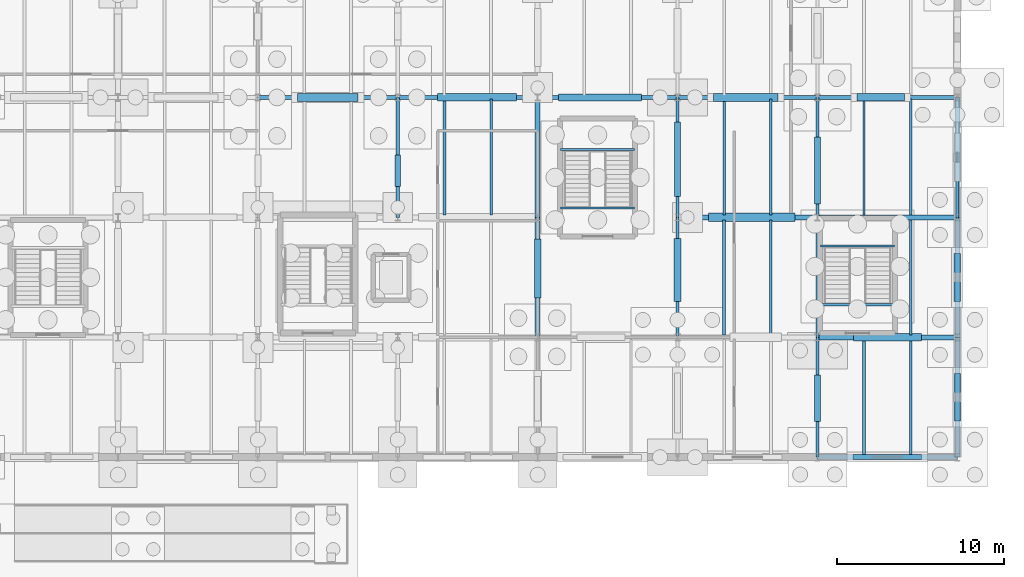
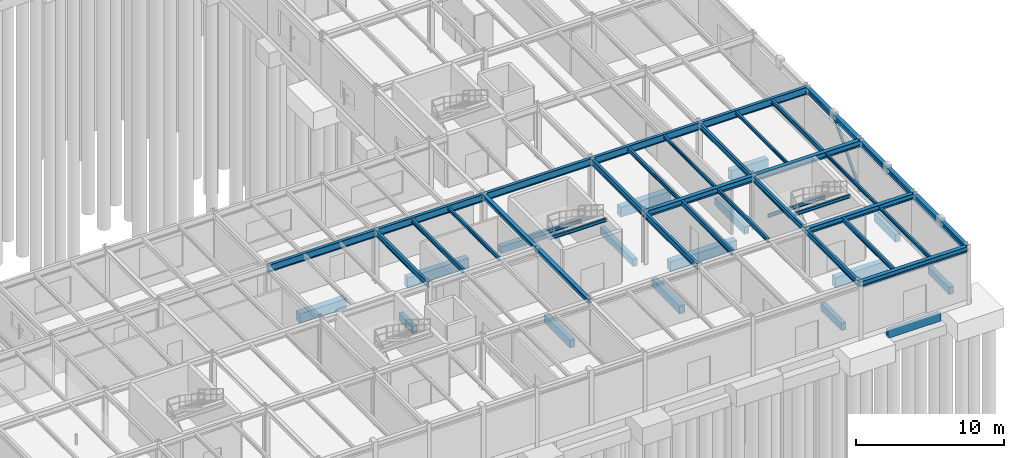
# One storey, part 43 of 93: 51 beams, 1 member.
"""IFC4 building model written with IfcOpenShell, lengths in metres."""

from ifc_helpers import new_model, si_unit, derived_unit, direction, frame, origin, origin_2d, place, context, subcontext, project, spatial, rectangle, hollow_rectangle, i_section, extrude, material, material_profile, profile_set, type_object, element, save


model = new_model("IFC4")

# Units and contexts
model_context = context("Model", 3, precision=1e-05, world=origin(), true_north=direction((0.0, 1.0)))
body_context = subcontext(model_context, "Body", "Model", "MODEL_VIEW")
ifc_project = project(units=[si_unit("LENGTHUNIT", "METRE"), si_unit("AREAUNIT", "SQUARE_METRE"), si_unit("VOLUMEUNIT", "CUBIC_METRE"), si_unit("PLANEANGLEUNIT", "RADIAN"), si_unit("MASSUNIT", "GRAM", prefix="KILO"), derived_unit("THERMALTRANSMITTANCEUNIT", [(si_unit("MASSUNIT", "GRAM", prefix="KILO"), 1), (si_unit("TIMEUNIT", "SECOND"), -3), (si_unit("THERMODYNAMICTEMPERATUREUNIT", "KELVIN"), -1)])], contexts=[model_context])

# Site, building, storey
site_placement = place(None, origin())
site = spatial("IfcSite", under=ifc_project, at=site_placement, CompositionType="ELEMENT")
building_placement = place(site_placement, origin())
building = spatial("IfcBuilding", under=site, at=building_placement, Name="Kharveza Railside Sports Centre", CompositionType="ELEMENT")
storey_placement = place(building_placement, origin())
storey = spatial("IfcBuildingStorey", under=building, at=storey_placement, Name="L00", CompositionType="ELEMENT", Elevation=0.0)

# Beams
ifc_material_1 = material(Name="Steel S355J2", Category="steel")
ifc_material_profile_1 = material_profile(ifc_material_1, i_section(OverallWidth=0.219970703125, OverallDepth=0.60009765625, WebThickness=0.011962890625, FlangeThickness=0.01904296875, FilletRadius=0.02392578125, at=origin_2d()), Name="IPE 600")
ifc_profile_set_1 = profile_set([ifc_material_profile_1], Name="Steel S355J2")
beam_type_1 = type_object("IfcBeamType", Name="BM-G01", PredefinedType="T_BEAM", material=ifc_profile_set_1)
beam_1_placement = place(storey_placement, frame((126.0, 28.800048828125, 4.02001953125), z_axis=(1.0, 0.0, 0.0), x_axis=(0.0, 1.0, 0.0)))
element("IfcBeam", 1, at=beam_1_placement, inside=storey, type_object=beam_type_1, Name="BM-EW-L00-B01-X1260-Y288", PredefinedType="T_BEAM", context=body_context, shape_type="SweptSolid", body=[
    extrude(i_section(OverallWidth=0.219970703125, OverallDepth=0.60009765625, WebThickness=0.011962890625, FlangeThickness=0.01904296875, FilletRadius=0.02392578125, at=origin_2d()), origin(), (0.0, 0.0, 1.0), 8.39990234375),
])
beam_2_placement = place(storey_placement, frame((134.39990234375, 28.800048828125, 4.02001953125), z_axis=(1.0, 0.0, 0.0), x_axis=(0.0, 1.0, 0.0)))
element("IfcBeam", 2, at=beam_2_placement, inside=storey, type_object=beam_type_1, Name="BM-EW-L00-B01-X1344-Y288", PredefinedType="T_BEAM", context=body_context, shape_type="SweptSolid", body=[
    extrude(i_section(OverallWidth=0.219970703125, OverallDepth=0.60009765625, WebThickness=0.011962890625, FlangeThickness=0.01904296875, FilletRadius=0.02392578125, at=origin_2d()), origin(), (0.0, 0.0, 1.0), 8.400146484375),
])
beam_3_placement = place(storey_placement, frame((142.800048828125, 28.800048828125, 4.02001953125), z_axis=(1.0, 0.0, 0.0), x_axis=(0.0, 1.0, 0.0)))
element("IfcBeam", 3, at=beam_3_placement, inside=storey, type_object=beam_type_1, Name="BM-EW-L00-B01-X1428-Y288", PredefinedType="T_BEAM", context=body_context, shape_type="SweptSolid", body=[
    extrude(i_section(OverallWidth=0.219970703125, OverallDepth=0.60009765625, WebThickness=0.011962890625, FlangeThickness=0.01904296875, FilletRadius=0.02392578125, at=origin_2d()), origin(), (0.0, 0.0, 1.0), 8.39990234375),
])
beam_4_placement = place(storey_placement, frame((151.199951171875, 28.800048828125, 4.02001953125), z_axis=(1.0, 0.0, 0.0), x_axis=(0.0, 1.0, 0.0)))
element("IfcBeam", 4, at=beam_4_placement, inside=storey, type_object=beam_type_1, Name="BM-EW-L00-B01-X1512-Y288", PredefinedType="T_BEAM", context=body_context, shape_type="SweptSolid", body=[
    extrude(i_section(OverallWidth=0.219970703125, OverallDepth=0.60009765625, WebThickness=0.011962890625, FlangeThickness=0.01904296875, FilletRadius=0.02392578125, at=origin_2d()), origin(), (0.0, 0.0, 1.0), 8.400146484375),
])
beam_5_placement = place(storey_placement, frame((159.60009765625, 28.800048828125, 4.02001953125), z_axis=(1.0, 0.0, 0.0), x_axis=(0.0, 1.0, 0.0)))
element("IfcBeam", 5, at=beam_5_placement, inside=storey, type_object=beam_type_1, Name="BM-EW-L00-B01-X1596-Y288", PredefinedType="T_BEAM", context=body_context, shape_type="SweptSolid", body=[
    extrude(i_section(OverallWidth=0.219970703125, OverallDepth=0.60009765625, WebThickness=0.011962890625, FlangeThickness=0.01904296875, FilletRadius=0.02392578125, at=origin_2d()), origin(), (0.0, 0.0, 1.0), 8.39990234375),
])
ifc_material_profile_2 = material_profile(ifc_material_1, i_section(OverallWidth=0.199951171875, OverallDepth=0.5, WebThickness=0.01025390625, FlangeThickness=0.01611328125, FilletRadius=0.02099609375, at=origin_2d()), Name="IPE 500")
ifc_profile_set_2 = profile_set([ifc_material_profile_2], Name="Steel S355J2")
beam_type_2 = type_object("IfcBeamType", Name="BM-G03", PredefinedType="T_BEAM", material=ifc_profile_set_2)
beam_6_placement = place(storey_placement, frame((151.199951171875, 14.39990234375, 4.070068359375), z_axis=(0.0, 1.0, 0.0), x_axis=(-1.0, 0.0, 0.0)))
element("IfcBeam", 6, at=beam_6_placement, inside=storey, type_object=beam_type_2, Name="BM-NS-L00-B03-X1512-Y144", PredefinedType="T_BEAM", context=body_context, shape_type="SweptSolid", body=[
    extrude(i_section(OverallWidth=0.199951171875, OverallDepth=0.5, WebThickness=0.01025390625, FlangeThickness=0.01611328125, FilletRadius=0.02099609375, at=origin_2d()), origin(), (0.0, 0.0, 1.0), 7.2001953125),
])
beam_7_placement = place(storey_placement, frame((151.199951171875, 21.60009765625, 4.070068359375), z_axis=(0.0, 1.0, 0.0), x_axis=(-1.0, 0.0, 0.0)))
element("IfcBeam", 7, at=beam_7_placement, inside=storey, type_object=beam_type_2, Name="BM-NS-L00-B03-X1512-Y216", PredefinedType="T_BEAM", context=body_context, shape_type="SweptSolid", body=[
    extrude(i_section(OverallWidth=0.199951171875, OverallDepth=0.5, WebThickness=0.01025390625, FlangeThickness=0.01611328125, FilletRadius=0.02099609375, at=origin_2d()), origin(), (0.0, 0.0, 1.0), 7.199951171875),
])
ifc_material_profile_3 = material_profile(ifc_material_1, i_section(OverallWidth=0.18994140625, OverallDepth=0.449951171875, WebThickness=0.009521484375, FlangeThickness=0.0146484375, FilletRadius=0.02099609375, at=origin_2d()), Name="IPE 450")
ifc_profile_set_3 = profile_set([ifc_material_profile_3], Name="Steel S355J2")
beam_type_3 = type_object("IfcBeamType", Name="BM-G04", PredefinedType="T_BEAM", material=ifc_profile_set_3)
for number, where, z_axis, x_axis, name in (
    (8, (134.39990234375, 21.60009765625, 4.094970703125), (0.0, 1.0, 0.0), (-1.0, 0.0, 0.0), "BM-NS-L00-B04-X1344-Y216"),
    (9, (159.60009765625, 7.199951171875, 4.094970703125), (0.0, 1.0, 0.0), (-1.0, 0.0, 0.0), "BM-NS-L00-B04-X1596-Y72"),
):
    element("IfcBeam", number, at=place(storey_placement, frame(where, z_axis=z_axis, x_axis=x_axis)), inside=storey, type_object=beam_type_3, Name=name, PredefinedType="T_BEAM", context=body_context, shape_type="SweptSolid", body=[
        extrude(i_section(OverallWidth=0.18994140625, OverallDepth=0.449951171875, WebThickness=0.009521484375, FlangeThickness=0.0146484375, FilletRadius=0.02099609375, at=origin_2d()), origin(), (0.0, 0.0, 1.0), 7.199951171875),
    ])
beam_8_placement = place(storey_placement, frame((159.60009765625, 14.39990234375, 4.094970703125), z_axis=(0.0, 1.0, 0.0), x_axis=(-1.0, 0.0, 0.0)))
element("IfcBeam", 10, at=beam_8_placement, inside=storey, type_object=beam_type_3, Name="BM-NS-L00-B04-X1596-Y144", PredefinedType="T_BEAM", context=body_context, shape_type="SweptSolid", body=[
    extrude(i_section(OverallWidth=0.18994140625, OverallDepth=0.449951171875, WebThickness=0.009521484375, FlangeThickness=0.0146484375, FilletRadius=0.02099609375, at=origin_2d()), origin(), (0.0, 0.0, 1.0), 7.2001953125),
])
beam_9_placement = place(storey_placement, frame((159.60009765625, 21.60009765625, 4.094970703125), z_axis=(0.0, 1.0, 0.0), x_axis=(-1.0, 0.0, 0.0)))
element("IfcBeam", 11, at=beam_9_placement, inside=storey, type_object=beam_type_3, Name="BM-NS-L00-B04-X1596-Y216", PredefinedType="T_BEAM", context=body_context, shape_type="SweptSolid", body=[
    extrude(i_section(OverallWidth=0.18994140625, OverallDepth=0.449951171875, WebThickness=0.009521484375, FlangeThickness=0.0146484375, FilletRadius=0.02099609375, at=origin_2d()), origin(), (0.0, 0.0, 1.0), 7.199951171875),
])
ifc_material_profile_4 = material_profile(ifc_material_1, i_section(OverallWidth=0.300048828125, OverallDepth=0.5, WebThickness=0.014404296875, FlangeThickness=0.028076171875, FilletRadius=0.027099609375, at=origin_2d()), Name="HEB 500")
ifc_profile_set_4 = profile_set([ifc_material_profile_4], Name="Steel S355J2")
beam_type_4 = type_object("IfcBeamType", Name="BM-G05", PredefinedType="T_BEAM", material=ifc_profile_set_4)
beam_10_placement = place(storey_placement, frame((151.199951171875, 21.60009765625, 4.070068359375), z_axis=(1.0, 0.0, 0.0), x_axis=(0.0, 1.0, 0.0)))
element("IfcBeam", 12, at=beam_10_placement, inside=storey, type_object=beam_type_4, Name="BM-EW-L00-B05-X1512-Y216", PredefinedType="T_BEAM", context=body_context, shape_type="SweptSolid", body=[
    extrude(i_section(OverallWidth=0.300048828125, OverallDepth=0.5, WebThickness=0.014404296875, FlangeThickness=0.028076171875, FilletRadius=0.027099609375, at=origin_2d()), origin(), (0.0, 0.0, 1.0), 8.400146484375),
])
beam_11_placement = place(storey_placement, frame((159.60009765625, 21.60009765625, 4.070068359375), z_axis=(1.0, 0.0, 0.0), x_axis=(0.0, 1.0, 0.0)))
element("IfcBeam", 13, at=beam_11_placement, inside=storey, type_object=beam_type_4, Name="BM-EW-L00-B05-X1596-Y216", PredefinedType="T_BEAM", context=body_context, shape_type="SweptSolid", body=[
    extrude(i_section(OverallWidth=0.300048828125, OverallDepth=0.5, WebThickness=0.014404296875, FlangeThickness=0.028076171875, FilletRadius=0.027099609375, at=origin_2d()), origin(), (0.0, 0.0, 1.0), 8.39990234375),
])
ifc_material_profile_5 = material_profile(ifc_material_1, i_section(OverallWidth=0.300048828125, OverallDepth=0.449951171875, WebThickness=0.013916015625, FlangeThickness=0.02587890625, FilletRadius=0.027099609375, at=origin_2d()), Name="HEB 450")
ifc_profile_set_5 = profile_set([ifc_material_profile_5], Name="Steel S355J2")
beam_type_5 = type_object("IfcBeamType", Name="BM-G06", PredefinedType="T_BEAM", material=ifc_profile_set_5)
beam_12_placement = place(storey_placement, frame((159.60009765625, 14.39990234375, 4.094970703125), z_axis=(1.0, 0.0, 0.0), x_axis=(0.0, 1.0, 0.0)))
element("IfcBeam", 14, at=beam_12_placement, inside=storey, type_object=beam_type_5, Name="BM-EW-L00-B06-X1596-Y144", PredefinedType="T_BEAM", context=body_context, shape_type="SweptSolid", body=[
    extrude(i_section(OverallWidth=0.300048828125, OverallDepth=0.449951171875, WebThickness=0.013916015625, FlangeThickness=0.02587890625, FilletRadius=0.027099609375, at=origin_2d()), origin(), (0.0, 0.0, 1.0), 8.39990234375),
])
ifc_material_2 = material(Name="Concrete C35/45", Category="concrete")
ifc_material_profile_6 = material_profile(ifc_material_2, rectangle(XDim=0.5, YDim=0.800048828125, at=origin_2d()), Name="RCB 500x800")
ifc_profile_set_6 = profile_set([ifc_material_profile_6], Name="Concrete C35/45")
beam_type_6 = type_object("IfcBeamType", Name="BM-RC01", PredefinedType="T_BEAM", material=ifc_profile_set_6)
beam_13_placement = place(storey_placement, frame((128.385009765625, 28.800048828125, -0.820068359375), z_axis=(1.0, 0.0, 0.0), x_axis=(0.0, 1.0, 0.0)))
element("IfcBeam", 15, at=beam_13_placement, inside=storey, type_object=beam_type_6, Name="BM-PLINTH-EW-B25-X1260-Y288-1", PredefinedType="T_BEAM", context=body_context, shape_type="SweptSolid", body=[
    extrude(rectangle(XDim=0.5, YDim=0.800048828125, at=origin_2d()), origin(), (0.0, 0.0, 1.0), 3.6298828125),
])
beam_14_placement = place(storey_placement, frame((153.06005859375, 21.60009765625, -0.820068359375), z_axis=(1.0, 0.0, 0.0), x_axis=(0.0, 1.0, 0.0)))
element("IfcBeam", 16, at=beam_14_placement, inside=storey, type_object=beam_type_6, Name="BM-PLINTH-EW-B25-X1512-Y216-1", PredefinedType="T_BEAM", context=body_context, shape_type="SweptSolid", body=[
    extrude(rectangle(XDim=0.5, YDim=0.800048828125, at=origin_2d()), origin(), (0.0, 0.0, 1.0), 5.179931640625),
])
beam_15_placement = place(storey_placement, frame((153.360107421875, 28.800048828125, -0.820068359375), z_axis=(1.0, 0.0, 0.0), x_axis=(0.0, 1.0, 0.0)))
element("IfcBeam", 17, at=beam_15_placement, inside=storey, type_object=beam_type_6, Name="BM-PLINTH-EW-B25-X1512-Y288-1", PredefinedType="T_BEAM", context=body_context, shape_type="SweptSolid", body=[
    extrude(rectangle(XDim=0.5, YDim=0.800048828125, at=origin_2d()), origin(), (0.0, 0.0, 1.0), 3.8798828125),
])
ifc_material_profile_7 = material_profile(ifc_material_2, rectangle(XDim=0.39990234375, YDim=0.64990234375, at=origin_2d()), Name="RCB 400x650")
ifc_profile_set_7 = profile_set([ifc_material_profile_7], Name="Concrete C35/45")
beam_type_7 = type_object("IfcBeamType", Name="BM-RC02", PredefinedType="BEAM", material=ifc_profile_set_7)
beam_16_placement = place(storey_placement, frame((142.800048828125, 16.760009765625, -0.7451171875), z_axis=(0.0, 1.0, 0.0), x_axis=(-1.0, 0.0, 0.0)))
element("IfcBeam", 18, at=beam_16_placement, inside=storey, type_object=beam_type_7, Name="BM-PLINTH-NS-B26-X1428-Y144-1", PredefinedType="BEAM", context=body_context, shape_type="SweptSolid", body=[
    extrude(rectangle(XDim=0.39990234375, YDim=0.64990234375, at=origin_2d()), origin(), (0.0, 0.0, 1.0), 3.540771484375),
])
beam_17_placement = place(storey_placement, frame((151.199951171875, 16.534912109375, -0.7451171875), z_axis=(0.0, 1.0, 0.0), x_axis=(-1.0, 0.0, 0.0)))
element("IfcBeam", 19, at=beam_17_placement, inside=storey, type_object=beam_type_7, Name="BM-PLINTH-NS-B26-X1512-Y144-1", PredefinedType="BEAM", context=body_context, shape_type="SweptSolid", body=[
    extrude(rectangle(XDim=0.39990234375, YDim=0.64990234375, at=origin_2d()), origin(), (0.0, 0.0, 1.0), 3.80517578125),
])
beam_18_placement = place(storey_placement, frame((168.0, 16.56005859375, -0.7451171875), z_axis=(0.0, 1.0, 0.0), x_axis=(-1.0, 0.0, 0.0)))
element("IfcBeam", 20, at=beam_18_placement, inside=storey, type_object=beam_type_7, Name="BM-PLINTH-NS-B26-X1680-Y144-1", PredefinedType="BEAM", context=body_context, shape_type="SweptSolid", body=[
    extrude(rectangle(XDim=0.39990234375, YDim=0.64990234375, at=origin_2d()), origin(), (0.0, 0.0, 1.0), 2.8798828125),
])
ifc_material_profile_8 = material_profile(ifc_material_2, rectangle(XDim=0.449951171875, YDim=0.85009765625, at=origin_2d()), Name="RCB 450x850")
ifc_profile_set_8 = profile_set([ifc_material_profile_8], Name="Concrete C35/45")
beam_type_8 = type_object("IfcBeamType", Name="BM-RC05", PredefinedType="T_BEAM", material=ifc_profile_set_8)
beam_19_placement = place(storey_placement, frame((136.784912109375, 28.800048828125, -0.844970703125), z_axis=(1.0, 0.0, 0.0), x_axis=(0.0, 1.0, 0.0)))
element("IfcBeam", 21, at=beam_19_placement, inside=storey, type_object=beam_type_8, Name="BM-PLINTH-EW-B29-X1344-Y288-1", PredefinedType="T_BEAM", context=body_context, shape_type="SweptSolid", body=[
    extrude(rectangle(XDim=0.449951171875, YDim=0.85009765625, at=origin_2d()), origin(), (0.0, 0.0, 1.0), 4.755126953125),
])
beam_20_placement = place(storey_placement, frame((161.760009765625, 14.39990234375, -0.844970703125), z_axis=(1.0, 0.0, 0.0), x_axis=(0.0, 1.0, 0.0)))
element("IfcBeam", 22, at=beam_20_placement, inside=storey, type_object=beam_type_8, Name="BM-PLINTH-EW-B29-X1596-Y144-1", PredefinedType="T_BEAM", context=body_context, shape_type="SweptSolid", body=[
    extrude(rectangle(XDim=0.449951171875, YDim=0.85009765625, at=origin_2d()), origin(), (0.0, 0.0, 1.0), 4.080078125),
])
beam_21_placement = place(storey_placement, frame((161.9599609375, 28.800048828125, -0.844970703125), z_axis=(1.0, 0.0, 0.0), x_axis=(0.0, 1.0, 0.0)))
element("IfcBeam", 23, at=beam_21_placement, inside=storey, type_object=beam_type_8, Name="BM-PLINTH-EW-B29-X1596-Y288-1", PredefinedType="T_BEAM", context=body_context, shape_type="SweptSolid", body=[
    extrude(rectangle(XDim=0.449951171875, YDim=0.85009765625, at=origin_2d()), origin(), (0.0, 0.0, 1.0), 2.880126953125),
])
ifc_material_profile_9 = material_profile(ifc_material_2, rectangle(XDim=0.35009765625, YDim=0.60009765625, at=origin_2d()), Name="RCB 350x600")
ifc_profile_set_9 = profile_set([ifc_material_profile_9], Name="Concrete C35/45")
beam_type_9 = type_object("IfcBeamType", Name="BM-RC06", PredefinedType="BEAM", material=ifc_profile_set_9)
beam_22_placement = place(storey_placement, frame((134.39990234375, 23.4599609375, -0.719970703125), z_axis=(0.0, 1.0, 0.0), x_axis=(-1.0, 0.0, 0.0)))
element("IfcBeam", 24, at=beam_22_placement, inside=storey, type_object=beam_type_9, Name="BM-PLINTH-NS-B30-X1344-Y216-1", PredefinedType="BEAM", context=body_context, shape_type="SweptSolid", body=[
    extrude(rectangle(XDim=0.35009765625, YDim=0.60009765625, at=origin_2d()), origin(), (0.0, 0.0, 1.0), 1.880126953125),
])
beam_23_placement = place(storey_placement, frame((151.199951171875, 22.860107421875, -0.719970703125), z_axis=(0.0, 1.0, 0.0), x_axis=(-1.0, 0.0, 0.0)))
element("IfcBeam", 25, at=beam_23_placement, inside=storey, type_object=beam_type_9, Name="BM-PLINTH-NS-B30-X1512-Y216-1", PredefinedType="BEAM", context=body_context, shape_type="SweptSolid", body=[
    extrude(rectangle(XDim=0.35009765625, YDim=0.60009765625, at=origin_2d()), origin(), (0.0, 0.0, 1.0), 4.47998046875),
])
beam_24_placement = place(storey_placement, frame((159.60009765625, 9.3349609375, -0.719970703125), z_axis=(0.0, 1.0, 0.0), x_axis=(-1.0, 0.0, 0.0)))
element("IfcBeam", 26, at=beam_24_placement, inside=storey, type_object=beam_type_9, Name="BM-PLINTH-NS-B30-X1596-Y72-1", PredefinedType="BEAM", context=body_context, shape_type="SweptSolid", body=[
    extrude(rectangle(XDim=0.35009765625, YDim=0.60009765625, at=origin_2d()), origin(), (0.0, 0.0, 1.0), 2.804931640625),
])
beam_25_placement = place(storey_placement, frame((159.60009765625, 22.409912109375, -0.719970703125), z_axis=(0.0, 1.0, 0.0), x_axis=(-1.0, 0.0, 0.0)))
element("IfcBeam", 27, at=beam_25_placement, inside=storey, type_object=beam_type_9, Name="BM-PLINTH-NS-B30-X1596-Y216-1", PredefinedType="BEAM", context=body_context, shape_type="SweptSolid", body=[
    extrude(rectangle(XDim=0.35009765625, YDim=0.60009765625, at=origin_2d()), origin(), (0.0, 0.0, 1.0), 4.030029296875),
])
beam_26_placement = place(storey_placement, frame((168.0, 9.360107421875, -0.719970703125), z_axis=(0.0, 1.0, 0.0), x_axis=(-1.0, 0.0, 0.0)))
element("IfcBeam", 28, at=beam_26_placement, inside=storey, type_object=beam_type_9, Name="BM-PLINTH-NS-B30-X1680-Y72-1", PredefinedType="BEAM", context=body_context, shape_type="SweptSolid", body=[
    extrude(rectangle(XDim=0.35009765625, YDim=0.60009765625, at=origin_2d()), origin(), (0.0, 0.0, 1.0), 2.8798828125),
])
ifc_material_profile_10 = material_profile(ifc_material_2, rectangle(XDim=0.39990234375, YDim=0.550048828125, at=origin_2d()), Name="RCB 400x550")
ifc_profile_set_10 = profile_set([ifc_material_profile_10], Name="Concrete C35/45")
beam_type_10 = type_object("IfcBeamType", Name="BM-RC07", PredefinedType="LINTEL", material=ifc_profile_set_10)
beam_27_placement = place(storey_placement, frame((144.06005859375, 28.800048828125, -0.695068359375), z_axis=(1.0, 0.0, 0.0), x_axis=(0.0, 1.0, 0.0)))
element("IfcBeam", 29, at=beam_27_placement, inside=storey, type_object=beam_type_10, Name="BM-PLINTH-EW-B31-X1428-Y288-1", PredefinedType="LINTEL", context=body_context, shape_type="SweptSolid", body=[
    extrude(rectangle(XDim=0.39990234375, YDim=0.550048828125, at=origin_2d()), origin(), (0.0, 0.0, 1.0), 4.97998046875),
])
ifc_material_3 = material(Name="Precast concrete C40/50", Category="concrete")
ifc_material_profile_11 = material_profile(ifc_material_3, rectangle(XDim=0.300048828125, YDim=0.64990234375, at=origin_2d()), Name="RCB 300x650")
ifc_profile_set_11 = profile_set([ifc_material_profile_11], Name="Precast concrete C40/50")
beam_type_11 = type_object("IfcBeamType", Name="BM-RC08", PredefinedType="SPANDREL", material=ifc_profile_set_11)
beam_28_placement = place(storey_placement, frame((161.735107421875, 7.199951171875, -0.7451171875), z_axis=(1.0, 0.0, 0.0), x_axis=(0.0, 1.0, 0.0)))
element("IfcBeam", 30, at=beam_28_placement, inside=storey, type_object=beam_type_11, Name="BM-PLINTH-EW-B32-X1596-Y72-1", PredefinedType="SPANDREL", context=body_context, shape_type="SweptSolid", body=[
    extrude(rectangle(XDim=0.300048828125, YDim=0.64990234375, at=origin_2d()), origin(), (0.0, 0.0, 1.0), 4.10498046875),
])
ifc_material_profile_12 = material_profile(ifc_material_1, i_section(OverallWidth=0.179931640625, OverallDepth=0.39990234375, WebThickness=0.008544921875, FlangeThickness=0.013427734375, FilletRadius=0.02099609375, at=origin_2d()), Name="IPE 400")
ifc_profile_set_12 = profile_set([ifc_material_profile_12], Name="Steel S355J2")
beam_type_12 = type_object("IfcBeamType", Name="BM-S01", PredefinedType="BEAM", material=ifc_profile_set_12)
beam_29_placement = place(storey_placement, frame((154.0, 14.547119140625, 4.1201171875), z_axis=(0.0, 1.0, 0.0), x_axis=(-1.0, 0.0, 0.0)))
element("IfcBeam", 31, at=beam_29_placement, inside=storey, type_object=beam_type_12, Name="BM-SEC-L00-B09-X1540-Y144", PredefinedType="BEAM", context=body_context, shape_type="SweptSolid", body=[
    extrude(i_section(OverallWidth=0.179931640625, OverallDepth=0.39990234375, WebThickness=0.008544921875, FlangeThickness=0.013427734375, FilletRadius=0.02099609375, at=origin_2d()), origin(), (0.0, 0.0, 1.0), 6.90576171875),
])
ifc_material_profile_13 = material_profile(ifc_material_1, i_section(OverallWidth=0.169921875, OverallDepth=0.360107421875, WebThickness=0.008056640625, FlangeThickness=0.0126953125, FilletRadius=0.01806640625, at=origin_2d()), Name="IPE 360")
ifc_profile_set_13 = profile_set([ifc_material_profile_13], Name="Steel S355J2")
beam_type_13 = type_object("IfcBeamType", Name="BM-S02", PredefinedType="BEAM", material=ifc_profile_set_13)
beam_30_placement = place(storey_placement, frame((137.199951171875, 21.7470703125, 4.139892578125), z_axis=(0.0, 1.0, 0.0), x_axis=(-1.0, 0.0, 0.0)))
element("IfcBeam", 32, at=beam_30_placement, inside=storey, type_object=beam_type_13, Name="BM-SEC-L00-B10-X1372-Y216", PredefinedType="BEAM", context=body_context, shape_type="SweptSolid", body=[
    extrude(i_section(OverallWidth=0.169921875, OverallDepth=0.360107421875, WebThickness=0.008056640625, FlangeThickness=0.0126953125, FilletRadius=0.01806640625, at=origin_2d()), origin(), (0.0, 0.0, 1.0), 6.946044921875),
])
beam_31_placement = place(storey_placement, frame((162.39990234375, 7.346923828125, 4.139892578125), z_axis=(0.0, 1.0, 0.0), x_axis=(-1.0, 0.0, 0.0)))
element("IfcBeam", 33, at=beam_31_placement, inside=storey, type_object=beam_type_13, Name="BM-SEC-L00-B10-X1624-Y72", PredefinedType="BEAM", context=body_context, shape_type="SweptSolid", body=[
    extrude(i_section(OverallWidth=0.169921875, OverallDepth=0.360107421875, WebThickness=0.008056640625, FlangeThickness=0.0126953125, FilletRadius=0.01806640625, at=origin_2d()), origin(), (0.0, 0.0, 1.0), 6.906005859375),
])
beam_32_placement = place(storey_placement, frame((165.199951171875, 21.7470703125, 4.139892578125), z_axis=(0.0, 1.0, 0.0), x_axis=(-1.0, 0.0, 0.0)))
element("IfcBeam", 34, at=beam_32_placement, inside=storey, type_object=beam_type_13, Name="BM-SEC-L00-B10-X1652-Y216", PredefinedType="BEAM", context=body_context, shape_type="SweptSolid", body=[
    extrude(i_section(OverallWidth=0.169921875, OverallDepth=0.360107421875, WebThickness=0.008056640625, FlangeThickness=0.0126953125, FilletRadius=0.01806640625, at=origin_2d()), origin(), (0.0, 0.0, 1.0), 6.946044921875),
])
ifc_material_profile_14 = material_profile(ifc_material_1, i_section(OverallWidth=0.159912109375, OverallDepth=0.330078125, WebThickness=0.007568359375, FlangeThickness=0.011474609375, FilletRadius=0.01806640625, at=origin_2d()), Name="IPE 330")
ifc_profile_set_14 = profile_set([ifc_material_profile_14], Name="Steel S355J2")
beam_type_14 = type_object("IfcBeamType", Name="BM-S03", PredefinedType="BEAM", material=ifc_profile_set_14)
beam_33_placement = place(storey_placement, frame((156.800048828125, 14.547119140625, 4.155029296875), z_axis=(0.0, 1.0, 0.0), x_axis=(-1.0, 0.0, 0.0)))
element("IfcBeam", 35, at=beam_33_placement, inside=storey, type_object=beam_type_14, Name="BM-SEC-L00-B11-X1568-Y144", PredefinedType="BEAM", context=body_context, shape_type="SweptSolid", body=[
    extrude(i_section(OverallWidth=0.159912109375, OverallDepth=0.330078125, WebThickness=0.007568359375, FlangeThickness=0.011474609375, FilletRadius=0.01806640625, at=origin_2d()), origin(), (0.0, 0.0, 1.0), 6.90576171875),
])
beam_34_placement = place(storey_placement, frame((154.0, 21.7470703125, 4.155029296875), z_axis=(0.0, 1.0, 0.0), x_axis=(-1.0, 0.0, 0.0)))
element("IfcBeam", 36, at=beam_34_placement, inside=storey, type_object=beam_type_14, Name="BM-SEC-L00-B11-X1540-Y216", PredefinedType="BEAM", context=body_context, shape_type="SweptSolid", body=[
    extrude(i_section(OverallWidth=0.159912109375, OverallDepth=0.330078125, WebThickness=0.007568359375, FlangeThickness=0.011474609375, FilletRadius=0.01806640625, at=origin_2d()), origin(), (0.0, 0.0, 1.0), 6.946044921875),
])
ifc_material_profile_15 = material_profile(ifc_material_1, i_section(OverallWidth=0.14990234375, OverallDepth=0.300048828125, WebThickness=0.007080078125, FlangeThickness=0.0107421875, FilletRadius=0.014892578125, at=origin_2d()), Name="IPE 300")
ifc_profile_set_15 = profile_set([ifc_material_profile_15], Name="Steel S355J2")
beam_type_15 = type_object("IfcBeamType", Name="BM-S04", PredefinedType="BEAM", material=ifc_profile_set_15)
beam_35_placement = place(storey_placement, frame((140.0, 21.7470703125, 4.169921875), z_axis=(0.0, 1.0, 0.0), x_axis=(-1.0, 0.0, 0.0)))
element("IfcBeam", 37, at=beam_35_placement, inside=storey, type_object=beam_type_15, Name="BM-SEC-L00-B12-X1400-Y216", PredefinedType="BEAM", context=body_context, shape_type="SweptSolid", body=[
    extrude(i_section(OverallWidth=0.14990234375, OverallDepth=0.300048828125, WebThickness=0.007080078125, FlangeThickness=0.0107421875, FilletRadius=0.014892578125, at=origin_2d()), origin(), (0.0, 0.0, 1.0), 6.946044921875),
])
beam_36_placement = place(storey_placement, frame((165.199951171875, 7.346923828125, 4.169921875), z_axis=(0.0, 1.0, 0.0), x_axis=(-1.0, 0.0, 0.0)))
element("IfcBeam", 38, at=beam_36_placement, inside=storey, type_object=beam_type_15, Name="BM-SEC-L00-B12-X1652-Y72", PredefinedType="BEAM", context=body_context, shape_type="SweptSolid", body=[
    extrude(i_section(OverallWidth=0.14990234375, OverallDepth=0.300048828125, WebThickness=0.007080078125, FlangeThickness=0.0107421875, FilletRadius=0.014892578125, at=origin_2d()), origin(), (0.0, 0.0, 1.0), 6.906005859375),
])
ifc_material_profile_16 = material_profile(ifc_material_1, i_section(OverallWidth=0.135009765625, OverallDepth=0.27001953125, WebThickness=0.006591796875, FlangeThickness=0.01025390625, FilletRadius=0.014892578125, at=origin_2d()), Name="IPE 270")
ifc_profile_set_16 = profile_set([ifc_material_profile_16], Name="Steel S355J2")
beam_type_16 = type_object("IfcBeamType", Name="BM-S05", PredefinedType="BEAM", material=ifc_profile_set_16)
beam_37_placement = place(storey_placement, frame((156.800048828125, 21.7470703125, 4.18505859375), z_axis=(0.0, 1.0, 0.0), x_axis=(-1.0, 0.0, 0.0)))
element("IfcBeam", 39, at=beam_37_placement, inside=storey, type_object=beam_type_16, Name="BM-SEC-L00-B13-X1568-Y216", PredefinedType="BEAM", context=body_context, shape_type="SweptSolid", body=[
    extrude(i_section(OverallWidth=0.135009765625, OverallDepth=0.27001953125, WebThickness=0.006591796875, FlangeThickness=0.01025390625, FilletRadius=0.014892578125, at=origin_2d()), origin(), (0.0, 0.0, 1.0), 6.946044921875),
])
beam_38_placement = place(storey_placement, frame((165.199951171875, 14.547119140625, 4.18505859375), z_axis=(0.0, 1.0, 0.0), x_axis=(-1.0, 0.0, 0.0)))
element("IfcBeam", 40, at=beam_38_placement, inside=storey, type_object=beam_type_16, Name="BM-SEC-L00-B13-X1652-Y144", PredefinedType="BEAM", context=body_context, shape_type="SweptSolid", body=[
    extrude(i_section(OverallWidth=0.135009765625, OverallDepth=0.27001953125, WebThickness=0.006591796875, FlangeThickness=0.01025390625, FilletRadius=0.014892578125, at=origin_2d()), origin(), (0.0, 0.0, 1.0), 6.90576171875),
])
beam_39_placement = place(storey_placement, frame((162.39990234375, 21.7470703125, 4.18505859375), z_axis=(0.0, 1.0, 0.0), x_axis=(-1.0, 0.0, 0.0)))
element("IfcBeam", 41, at=beam_39_placement, inside=storey, type_object=beam_type_16, Name="BM-SEC-L00-B13-X1624-Y216", PredefinedType="BEAM", context=body_context, shape_type="SweptSolid", body=[
    extrude(i_section(OverallWidth=0.135009765625, OverallDepth=0.27001953125, WebThickness=0.006591796875, FlangeThickness=0.01025390625, FilletRadius=0.014892578125, at=origin_2d()), origin(), (0.0, 0.0, 1.0), 6.946044921875),
])
for number, where, z_axis, x_axis, name in (
    (42, (144.179931640625, 25.679931640625, 1.929931640625), (1.0, 0.0, 0.0), (0.0, 1.0, 0.0), "BM-HLND-ST5-L00"),
    (43, (144.179931640625, 22.159912109375, 4.179931640625), (1.0, 0.0, 0.0), (0.0, 1.0, 0.0), "BM-STLND-ST5-L01"),
):
    element("IfcBeam", number, at=place(storey_placement, frame(where, z_axis=z_axis, x_axis=x_axis)), inside=storey, type_object=beam_type_16, Name=name, PredefinedType="BEAM", context=body_context, shape_type="SweptSolid", body=[
        extrude(i_section(OverallWidth=0.135009765625, OverallDepth=0.27001953125, WebThickness=0.006591796875, FlangeThickness=0.01025390625, FilletRadius=0.014892578125, at=origin_2d()), origin(), (0.0, 0.0, 1.0), 4.440185546875),
    ])
for number, where, z_axis, x_axis, name in (
    (44, (159.780029296875, 19.8798828125, 1.929931640625), (1.0, 0.0, 0.0), (0.0, 1.0, 0.0), "BM-HLND-ST11-L00"),
    (45, (159.780029296875, 16.360107421875, 4.179931640625), (1.0, 0.0, 0.0), (0.0, 1.0, 0.0), "BM-STLND-ST11-L01"),
):
    element("IfcBeam", number, at=place(storey_placement, frame(where, z_axis=z_axis, x_axis=x_axis)), inside=storey, type_object=beam_type_16, Name=name, PredefinedType="BEAM", context=body_context, shape_type="SweptSolid", body=[
        extrude(i_section(OverallWidth=0.135009765625, OverallDepth=0.27001953125, WebThickness=0.006591796875, FlangeThickness=0.01025390625, FilletRadius=0.014892578125, at=origin_2d()), origin(), (0.0, 0.0, 1.0), 4.43994140625),
    ])
ifc_material_profile_17 = material_profile(ifc_material_1, i_section(OverallWidth=0.300048828125, OverallDepth=0.31005859375, WebThickness=0.009033203125, FlangeThickness=0.015380859375, FilletRadius=0.027099609375, at=origin_2d()), Name="HEA 320")
ifc_profile_set_17 = profile_set([ifc_material_profile_17], Name="Steel S355J2")
beam_type_17 = type_object("IfcBeamType", Name="BM-S06", PredefinedType="BEAM", material=ifc_profile_set_17)
beam_40_placement = place(storey_placement, frame((142.800048828125, 14.39990234375, 4.1650390625), z_axis=(0.0, 1.0, 0.0), x_axis=(-1.0, 0.0, 0.0)))
element("IfcBeam", 46, at=beam_40_placement, inside=storey, type_object=beam_type_17, Name="BM-NS-L00-B14-X1428-Y144", PredefinedType="BEAM", context=body_context, shape_type="SweptSolid", body=[
    extrude(i_section(OverallWidth=0.300048828125, OverallDepth=0.31005859375, WebThickness=0.009033203125, FlangeThickness=0.015380859375, FilletRadius=0.027099609375, at=origin_2d()), origin(), (0.0, 0.0, 1.0), 7.2001953125),
])
beam_41_placement = place(storey_placement, frame((142.800048828125, 21.60009765625, 4.1650390625), z_axis=(0.0, 1.0, 0.0), x_axis=(-1.0, 0.0, 0.0)))
element("IfcBeam", 47, at=beam_41_placement, inside=storey, type_object=beam_type_17, Name="BM-NS-L00-B14-X1428-Y216", PredefinedType="BEAM", context=body_context, shape_type="SweptSolid", body=[
    extrude(i_section(OverallWidth=0.300048828125, OverallDepth=0.31005859375, WebThickness=0.009033203125, FlangeThickness=0.015380859375, FilletRadius=0.027099609375, at=origin_2d()), origin(), (0.0, 0.0, 1.0), 7.199951171875),
])
ifc_material_profile_18 = material_profile(ifc_material_1, i_section(OverallWidth=0.300048828125, OverallDepth=0.43994140625, WebThickness=0.011474609375, FlangeThickness=0.02099609375, FilletRadius=0.027099609375, at=origin_2d()), Name="HEA 450")
ifc_profile_set_18 = profile_set([ifc_material_profile_18], Name="Steel S355J2")
beam_type_18 = type_object("IfcBeamType", Name="BM-SP01", PredefinedType="SPANDREL", material=ifc_profile_set_18)
beam_42_placement = place(storey_placement, frame((159.60009765625, 7.199951171875, 4.10009765625), z_axis=(1.0, 0.0, 0.0), x_axis=(0.0, 1.0, 0.0)))
element("IfcBeam", 48, at=beam_42_placement, inside=storey, type_object=beam_type_18, Name="BM-EW-L00-B15-X1596-Y72", PredefinedType="SPANDREL", context=body_context, shape_type="SweptSolid", body=[
    extrude(i_section(OverallWidth=0.300048828125, OverallDepth=0.43994140625, WebThickness=0.011474609375, FlangeThickness=0.02099609375, FilletRadius=0.027099609375, at=origin_2d()), origin(), (0.0, 0.0, 1.0), 8.39990234375),
])
beam_43_placement = place(storey_placement, frame((168.0, 7.199951171875, 4.10009765625), z_axis=(0.0, 1.0, 0.0), x_axis=(-1.0, 0.0, 0.0)))
element("IfcBeam", 49, at=beam_43_placement, inside=storey, type_object=beam_type_18, Name="BM-NS-L00-B15-X1680-Y72", PredefinedType="SPANDREL", context=body_context, shape_type="SweptSolid", body=[
    extrude(i_section(OverallWidth=0.300048828125, OverallDepth=0.43994140625, WebThickness=0.011474609375, FlangeThickness=0.02099609375, FilletRadius=0.027099609375, at=origin_2d()), origin(), (0.0, 0.0, 1.0), 7.199951171875),
])
beam_44_placement = place(storey_placement, frame((168.0, 14.39990234375, 4.10009765625), z_axis=(0.0, 1.0, 0.0), x_axis=(-1.0, 0.0, 0.0)))
element("IfcBeam", 50, at=beam_44_placement, inside=storey, type_object=beam_type_18, Name="BM-NS-L00-B15-X1680-Y144", PredefinedType="SPANDREL", context=body_context, shape_type="SweptSolid", body=[
    extrude(i_section(OverallWidth=0.300048828125, OverallDepth=0.43994140625, WebThickness=0.011474609375, FlangeThickness=0.02099609375, FilletRadius=0.027099609375, at=origin_2d()), origin(), (0.0, 0.0, 1.0), 7.2001953125),
])
beam_45_placement = place(storey_placement, frame((168.0, 21.60009765625, 4.10009765625), z_axis=(0.0, 1.0, 0.0), x_axis=(-1.0, 0.0, 0.0)))
element("IfcBeam", 51, at=beam_45_placement, inside=storey, type_object=beam_type_18, Name="BM-NS-L00-B15-X1680-Y216", PredefinedType="SPANDREL", context=body_context, shape_type="SweptSolid", body=[
    extrude(i_section(OverallWidth=0.300048828125, OverallDepth=0.43994140625, WebThickness=0.011474609375, FlangeThickness=0.02099609375, FilletRadius=0.027099609375, at=origin_2d()), origin(), (0.0, 0.0, 1.0), 7.199951171875),
])

# Member
ifc_material_profile_19 = material_profile(ifc_material_1, hollow_rectangle(XDim=0.179931640625, YDim=0.179931640625, WallThickness=0.010009765625, InnerFilletRadius=0.010009765625, OuterFilletRadius=0.02001953125, at=origin_2d()), Name="SHS 180x180x10.0")
ifc_profile_set_19 = profile_set([ifc_material_profile_19], Name="Steel S355J2")
member_type = type_object("IfcMemberType", Name="MB-BR01", PredefinedType="BRACE", material=ifc_profile_set_19)
member_placement = place(storey_placement, frame((168.0, 21.60009765625, 0.0), z_axis=(0.0, 0.664344262737, 0.747426719196), x_axis=(-1.0, 0.0, 0.0)))
element("IfcMember", 52, at=member_placement, inside=storey, type_object=member_type, Name="MB-CHEV-NS-014A", PredefinedType="BRACE", context=body_context, shape_type="SweptSolid", body=[
    extrude(hollow_rectangle(XDim=0.179931640625, YDim=0.179931640625, WallThickness=0.010009765625, InnerFilletRadius=0.010009765625, OuterFilletRadius=0.02001953125, at=origin_2d()), origin(), (0.0, 0.0, 1.0), 5.418701171875),
])

save(model, "model.ifc")
